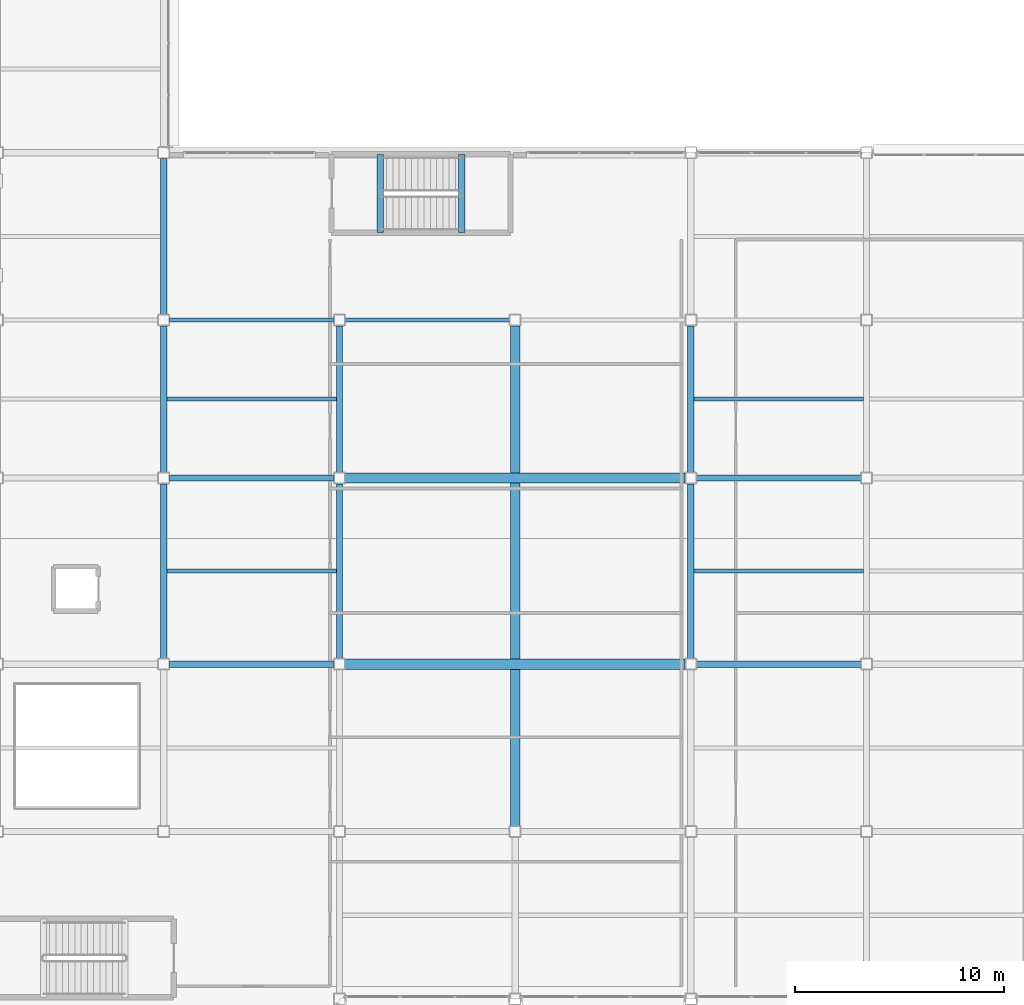
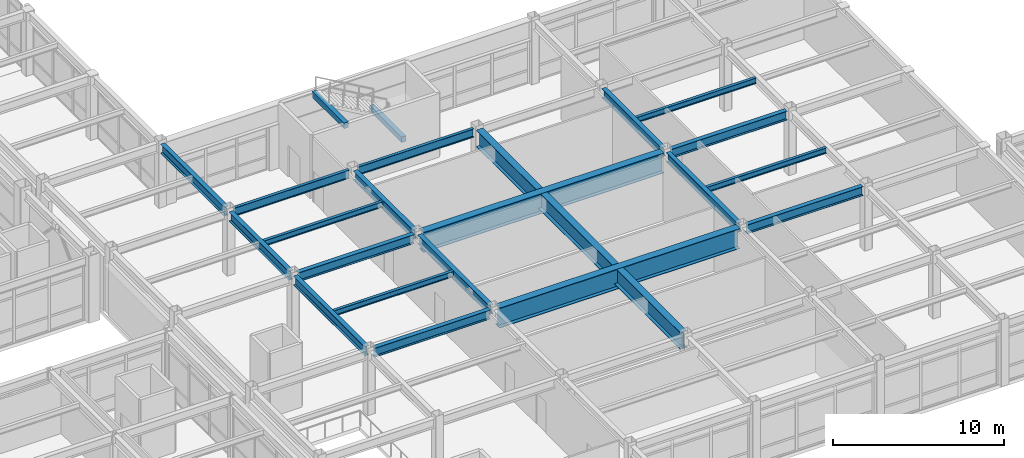
# One storey, part 51 of 154: 22 beams.
"""IFC4 building model written with IfcOpenShell, lengths in metres."""

from ifc_helpers import new_model, si_unit, direction, frame, origin, origin_2d, place, context, subcontext, project, spatial, rectangle, i_section, extrude, material, material_profile, profile_set, type_object, element, save


model = new_model("IFC4")

# Units and contexts
model_context = context("Model", 3, precision=1e-05, world=origin(), true_north=direction((0.0, 1.0)))
body_context = subcontext(model_context, "Body", "Model", "MODEL_VIEW")
ifc_project = project(units=[si_unit("LENGTHUNIT", "METRE"), si_unit("AREAUNIT", "SQUARE_METRE"), si_unit("VOLUMEUNIT", "CUBIC_METRE"), si_unit("PLANEANGLEUNIT", "RADIAN"), si_unit("MASSUNIT", "GRAM", prefix="KILO")], contexts=[model_context])

# Site, building, storey
site_placement = place(None, origin())
site = spatial("IfcSite", under=ifc_project, at=site_placement, CompositionType="ELEMENT")
building_placement = place(site_placement, origin())
building = spatial("IfcBuilding", under=site, at=building_placement, Name="Kazehara Bluff Congress Hotel", CompositionType="ELEMENT")
storey_placement = place(building_placement, frame((0.0, 0.0, 10.199951171875)))
storey = spatial("IfcBuildingStorey", under=building, at=storey_placement, Name="L02", CompositionType="ELEMENT", Elevation=10.199951171875)

# Beams
ifc_material_1 = material(Name="Steel SN490B", Category="steel")
ifc_material_profile_1 = material_profile(ifc_material_1, i_section(OverallWidth=0.300048828125, OverallDepth=0.64990234375, WebThickness=0.011962890625, FlangeThickness=0.02001953125, FilletRadius=0.012939453125, at=origin_2d()))
ifc_profile_set_1 = profile_set([ifc_material_profile_1], Name="Steel SN490B")
beam_type_1 = type_object("IfcBeamType", Name="TP-G-03", PredefinedType="BEAM", material=ifc_profile_set_1)
beam_1_placement = place(storey_placement, frame((67.64990234375, 32.27490234375, 4.235107421875), z_axis=(0.0, 1.0, 0.0), x_axis=(-1.0, 0.0, 0.0)))
element("IfcBeam", 1, at=beam_1_placement, inside=storey, type_object=beam_type_1, Name="L02 girder G-03 66", PredefinedType="BEAM", context=body_context, shape_type="SweptSolid", body=[
    extrude(i_section(OverallWidth=0.300048828125, OverallDepth=0.64990234375, WebThickness=0.011962890625, FlangeThickness=0.02001953125, FilletRadius=0.012939453125, at=origin_2d()), origin(), (0.0, 0.0, 1.0), 8.35009765625),
])
beam_2_placement = place(storey_placement, frame((67.64990234375, 41.175048828125, 4.235107421875), z_axis=(0.0, 1.0, 0.0), x_axis=(-1.0, 0.0, 0.0)))
element("IfcBeam", 2, at=beam_2_placement, inside=storey, type_object=beam_type_1, Name="L02 girder G-03 67", PredefinedType="BEAM", context=body_context, shape_type="SweptSolid", body=[
    extrude(i_section(OverallWidth=0.300048828125, OverallDepth=0.64990234375, WebThickness=0.011962890625, FlangeThickness=0.02001953125, FilletRadius=0.012939453125, at=origin_2d()), origin(), (0.0, 0.0, 1.0), 7.0),
])
beam_3_placement = place(storey_placement, frame((67.64990234375, 48.72509765625, 4.235107421875), z_axis=(0.0, 1.0, 0.0), x_axis=(-1.0, 0.0, 0.0)))
element("IfcBeam", 3, at=beam_3_placement, inside=storey, type_object=beam_type_1, Name="L02 girder G-03 68", PredefinedType="BEAM", context=body_context, shape_type="SweptSolid", body=[
    extrude(i_section(OverallWidth=0.300048828125, OverallDepth=0.64990234375, WebThickness=0.011962890625, FlangeThickness=0.02001953125, FilletRadius=0.012939453125, at=origin_2d()), origin(), (0.0, 0.0, 1.0), 7.449951171875),
])
beam_4_placement = place(storey_placement, frame((76.050048828125, 32.27490234375, 4.235107421875), z_axis=(0.0, 1.0, 0.0), x_axis=(-1.0, 0.0, 0.0)))
element("IfcBeam", 4, at=beam_4_placement, inside=storey, type_object=beam_type_1, Name="L02 girder G-03 75", PredefinedType="BEAM", context=body_context, shape_type="SweptSolid", body=[
    extrude(i_section(OverallWidth=0.300048828125, OverallDepth=0.64990234375, WebThickness=0.011962890625, FlangeThickness=0.02001953125, FilletRadius=0.012939453125, at=origin_2d()), origin(), (0.0, 0.0, 1.0), 8.35009765625),
])
beam_5_placement = place(storey_placement, frame((76.050048828125, 41.175048828125, 4.235107421875), z_axis=(0.0, 1.0, 0.0), x_axis=(-1.0, 0.0, 0.0)))
element("IfcBeam", 5, at=beam_5_placement, inside=storey, type_object=beam_type_1, Name="L02 girder G-03 76", PredefinedType="BEAM", context=body_context, shape_type="SweptSolid", body=[
    extrude(i_section(OverallWidth=0.300048828125, OverallDepth=0.64990234375, WebThickness=0.011962890625, FlangeThickness=0.02001953125, FilletRadius=0.012939453125, at=origin_2d()), origin(), (0.0, 0.0, 1.0), 7.0),
])
beam_6_placement = place(storey_placement, frame((92.85009765625, 32.27490234375, 4.235107421875), z_axis=(0.0, 1.0, 0.0), x_axis=(-1.0, 0.0, 0.0)))
element("IfcBeam", 6, at=beam_6_placement, inside=storey, type_object=beam_type_1, Name="L02 girder G-03 81", PredefinedType="BEAM", context=body_context, shape_type="SweptSolid", body=[
    extrude(i_section(OverallWidth=0.300048828125, OverallDepth=0.64990234375, WebThickness=0.011962890625, FlangeThickness=0.02001953125, FilletRadius=0.012939453125, at=origin_2d()), origin(), (0.0, 0.0, 1.0), 8.35009765625),
])
beam_7_placement = place(storey_placement, frame((92.85009765625, 41.175048828125, 4.235107421875), z_axis=(0.0, 1.0, 0.0), x_axis=(-1.0, 0.0, 0.0)))
element("IfcBeam", 7, at=beam_7_placement, inside=storey, type_object=beam_type_1, Name="L02 girder G-03 82", PredefinedType="BEAM", context=body_context, shape_type="SweptSolid", body=[
    extrude(i_section(OverallWidth=0.300048828125, OverallDepth=0.64990234375, WebThickness=0.011962890625, FlangeThickness=0.02001953125, FilletRadius=0.012939453125, at=origin_2d()), origin(), (0.0, 0.0, 1.0), 7.0),
])
beam_8_placement = place(storey_placement, frame((67.925048828125, 32.0, 4.235107421875), z_axis=(1.0, 0.0, 0.0), x_axis=(0.0, 1.0, 0.0)))
element("IfcBeam", 8, at=beam_8_placement, inside=storey, type_object=beam_type_1, Name="L02 girder G-03 109", PredefinedType="BEAM", context=body_context, shape_type="SweptSolid", body=[
    extrude(i_section(OverallWidth=0.300048828125, OverallDepth=0.64990234375, WebThickness=0.011962890625, FlangeThickness=0.02001953125, FilletRadius=0.012939453125, at=origin_2d()), origin(), (0.0, 0.0, 1.0), 7.849853515625),
])
beam_9_placement = place(storey_placement, frame((93.125, 32.0, 4.235107421875), z_axis=(1.0, 0.0, 0.0), x_axis=(0.0, 1.0, 0.0)))
element("IfcBeam", 9, at=beam_9_placement, inside=storey, type_object=beam_type_1, Name="L02 girder G-03 111", PredefinedType="BEAM", context=body_context, shape_type="SweptSolid", body=[
    extrude(i_section(OverallWidth=0.300048828125, OverallDepth=0.64990234375, WebThickness=0.011962890625, FlangeThickness=0.02001953125, FilletRadius=0.012939453125, at=origin_2d()), origin(), (0.0, 0.0, 1.0), 7.85009765625),
])
beam_10_placement = place(storey_placement, frame((67.925048828125, 40.89990234375, 4.235107421875), z_axis=(1.0, 0.0, 0.0), x_axis=(0.0, 1.0, 0.0)))
element("IfcBeam", 10, at=beam_10_placement, inside=storey, type_object=beam_type_1, Name="L02 girder G-03 114", PredefinedType="BEAM", context=body_context, shape_type="SweptSolid", body=[
    extrude(i_section(OverallWidth=0.300048828125, OverallDepth=0.64990234375, WebThickness=0.011962890625, FlangeThickness=0.02001953125, FilletRadius=0.012939453125, at=origin_2d()), origin(), (0.0, 0.0, 1.0), 7.849853515625),
])
beam_11_placement = place(storey_placement, frame((93.125, 40.89990234375, 4.235107421875), z_axis=(1.0, 0.0, 0.0), x_axis=(0.0, 1.0, 0.0)))
element("IfcBeam", 11, at=beam_11_placement, inside=storey, type_object=beam_type_1, Name="L02 girder G-03 116", PredefinedType="BEAM", context=body_context, shape_type="SweptSolid", body=[
    extrude(i_section(OverallWidth=0.300048828125, OverallDepth=0.64990234375, WebThickness=0.011962890625, FlangeThickness=0.02001953125, FilletRadius=0.012939453125, at=origin_2d()), origin(), (0.0, 0.0, 1.0), 7.85009765625),
])
ifc_material_2 = material(Name="Steel SN490B", Category="steel")
ifc_material_profile_2 = material_profile(ifc_material_2, i_section(OverallWidth=0.449951171875, OverallDepth=1.199951171875, WebThickness=0.02001953125, FlangeThickness=0.031982421875, at=origin_2d()))
ifc_profile_set_2 = profile_set([ifc_material_profile_2], Name="Steel SN490B")
beam_type_2 = type_object("IfcBeamType", Name="TP-G-10", PredefinedType="BEAM", material=ifc_profile_set_2)
beam_12_placement = place(storey_placement, frame((84.449951171875, 24.27490234375, 3.9599609375), z_axis=(0.0, 1.0, 0.0), x_axis=(-1.0, 0.0, 0.0)))
element("IfcBeam", 12, at=beam_12_placement, inside=storey, type_object=beam_type_2, Name="L02 girder G-10 78", PredefinedType="BEAM", context=body_context, shape_type="SweptSolid", body=[
    extrude(i_section(OverallWidth=0.449951171875, OverallDepth=1.199951171875, WebThickness=0.02001953125, FlangeThickness=0.031982421875, at=origin_2d()), origin(), (0.0, 0.0, 1.0), 23.900146484375),
])
ifc_material_3 = material(Name="Steel SN400B", Category="steel")
ifc_material_profile_3 = material_profile(ifc_material_3, i_section(OverallWidth=0.199951171875, OverallDepth=0.39990234375, WebThickness=0.008056640625, FlangeThickness=0.012939453125, FilletRadius=0.012939453125, at=origin_2d()))
ifc_profile_set_3 = profile_set([ifc_material_profile_3], Name="Steel SN400B")
beam_type_3 = type_object("IfcBeamType", Name="TP-J-03", PredefinedType="JOIST", material=ifc_profile_set_3)
for number, where, z_axis, x_axis, name in (
    (13, (67.800048828125, 36.449951171875, 4.360107421875), (1.0, 0.0, 0.0), (0.0, 1.0, 0.0), "L02 secondary joist J-03 13"),
    (14, (67.800048828125, 44.675048828125, 4.360107421875), (1.0, 0.0, 0.0), (0.0, 1.0, 0.0), "L02 secondary joist J-03 14"),
):
    element("IfcBeam", number, at=place(storey_placement, frame(where, z_axis=z_axis, x_axis=x_axis)), inside=storey, type_object=beam_type_3, Name=name, PredefinedType="JOIST", context=body_context, shape_type="SweptSolid", body=[
        extrude(i_section(OverallWidth=0.199951171875, OverallDepth=0.39990234375, WebThickness=0.008056640625, FlangeThickness=0.012939453125, FilletRadius=0.012939453125, at=origin_2d()), origin(), (0.0, 0.0, 1.0), 8.099853515625),
    ])
for number, where, z_axis, x_axis, name in (
    (15, (93.0, 36.449951171875, 4.360107421875), (1.0, 0.0, 0.0), (0.0, 1.0, 0.0), "L02 secondary joist J-03 19"),
    (16, (93.0, 44.675048828125, 4.360107421875), (1.0, 0.0, 0.0), (0.0, 1.0, 0.0), "L02 secondary joist J-03 20"),
):
    element("IfcBeam", number, at=place(storey_placement, frame(where, z_axis=z_axis, x_axis=x_axis)), inside=storey, type_object=beam_type_3, Name=name, PredefinedType="JOIST", context=body_context, shape_type="SweptSolid", body=[
        extrude(i_section(OverallWidth=0.199951171875, OverallDepth=0.39990234375, WebThickness=0.008056640625, FlangeThickness=0.012939453125, FilletRadius=0.012939453125, at=origin_2d()), origin(), (0.0, 0.0, 1.0), 8.10009765625),
    ])
ifc_material_4 = material(Name="Concrete C40/50", Category="concrete")
ifc_material_profile_4 = material_profile(ifc_material_4, rectangle(XDim=0.300048828125, YDim=0.39990234375, at=origin_2d()))
ifc_profile_set_4 = profile_set([ifc_material_profile_4], Name="Concrete C40/50")
beam_type_4 = type_object("IfcBeamType", Name="TP-LN-02", PredefinedType="LINTEL", material=ifc_profile_set_4)
for number, where, z_axis, x_axis, name in (
    (17, (81.89990234375, 52.625, 2.02001953125), (0.0, 1.0, 0.0), (-1.0, 0.0, 0.0), "L02 ST-09 half-landing support beam 1"),
    (18, (78.0, 52.625, 4.380126953125), (0.0, 1.0, 0.0), (-1.0, 0.0, 0.0), "L03 ST-09 stairwell trimmer beam"),
):
    element("IfcBeam", number, at=place(storey_placement, frame(where, z_axis=z_axis, x_axis=x_axis)), inside=storey, type_object=beam_type_4, Name=name, PredefinedType="LINTEL", context=body_context, shape_type="SweptSolid", body=[
        extrude(rectangle(XDim=0.300048828125, YDim=0.39990234375, at=origin_2d()), origin(), (0.0, 0.0, 1.0), 3.75),
    ])
ifc_material_5 = material(Name="Steel SN490B", Category="steel")
ifc_material_profile_5 = material_profile(ifc_material_5, i_section(OverallWidth=0.199951171875, OverallDepth=0.60009765625, WebThickness=0.010986328125, FlangeThickness=0.01708984375, FilletRadius=0.012939453125, at=origin_2d()))
ifc_profile_set_5 = profile_set([ifc_material_profile_5], Name="Steel SN490B")
beam_type_5 = type_object("IfcBeamType", Name="TP-SP-02", PredefinedType="SPANDREL", material=ifc_profile_set_5)
beam_13_placement = place(storey_placement, frame((67.925048828125, 48.449951171875, 4.260009765625), z_axis=(1.0, 0.0, 0.0), x_axis=(0.0, 1.0, 0.0)))
element("IfcBeam", 19, at=beam_13_placement, inside=storey, type_object=beam_type_5, Name="L02 girder SP-02 119", PredefinedType="SPANDREL", context=body_context, shape_type="SweptSolid", body=[
    extrude(i_section(OverallWidth=0.199951171875, OverallDepth=0.60009765625, WebThickness=0.010986328125, FlangeThickness=0.01708984375, FilletRadius=0.012939453125, at=origin_2d()), origin(), (0.0, 0.0, 1.0), 7.849853515625),
])
beam_14_placement = place(storey_placement, frame((76.324951171875, 48.449951171875, 4.260009765625), z_axis=(1.0, 0.0, 0.0), x_axis=(0.0, 1.0, 0.0)))
element("IfcBeam", 20, at=beam_14_placement, inside=storey, type_object=beam_type_5, Name="L02 girder SP-02 120", PredefinedType="SPANDREL", context=body_context, shape_type="SweptSolid", body=[
    extrude(i_section(OverallWidth=0.199951171875, OverallDepth=0.60009765625, WebThickness=0.010986328125, FlangeThickness=0.01708984375, FilletRadius=0.012939453125, at=origin_2d()), origin(), (0.0, 0.0, 1.0), 7.85009765625),
])
ifc_material_6 = material(Name="Steel SN490B", Category="steel")
ifc_material_profile_6 = material_profile(ifc_material_6, i_section(OverallWidth=0.5, OverallDepth=1.43994140625, WebThickness=0.02197265625, FlangeThickness=0.035888671875, at=origin_2d()))
ifc_profile_set_6 = profile_set([ifc_material_profile_6], Name="Steel SN490B")
beam_type_6 = type_object("IfcBeamType", Name="TP-TG-01", PredefinedType="USERDEFINED", material=ifc_profile_set_6)
for number, where, z_axis, x_axis, name in (
    (21, (76.324951171875, 32.0, 3.840087890625), (1.0, 0.0, 0.0), (0.0, 1.0, 0.0), "L02 transfer girder TG-01 110"),
    (22, (76.324951171875, 40.89990234375, 3.840087890625), (1.0, 0.0, 0.0), (0.0, 1.0, 0.0), "L02 transfer girder TG-01 115"),
):
    element("IfcBeam", number, at=place(storey_placement, frame(where, z_axis=z_axis, x_axis=x_axis)), inside=storey, type_object=beam_type_6, Name=name, ObjectType="GIRDER", PredefinedType="USERDEFINED", context=body_context, shape_type="SweptSolid", body=[
        extrude(i_section(OverallWidth=0.5, OverallDepth=1.43994140625, WebThickness=0.02197265625, FlangeThickness=0.035888671875, at=origin_2d()), origin(), (0.0, 0.0, 1.0), 16.25),
    ])

save(model, "model.ifc")
